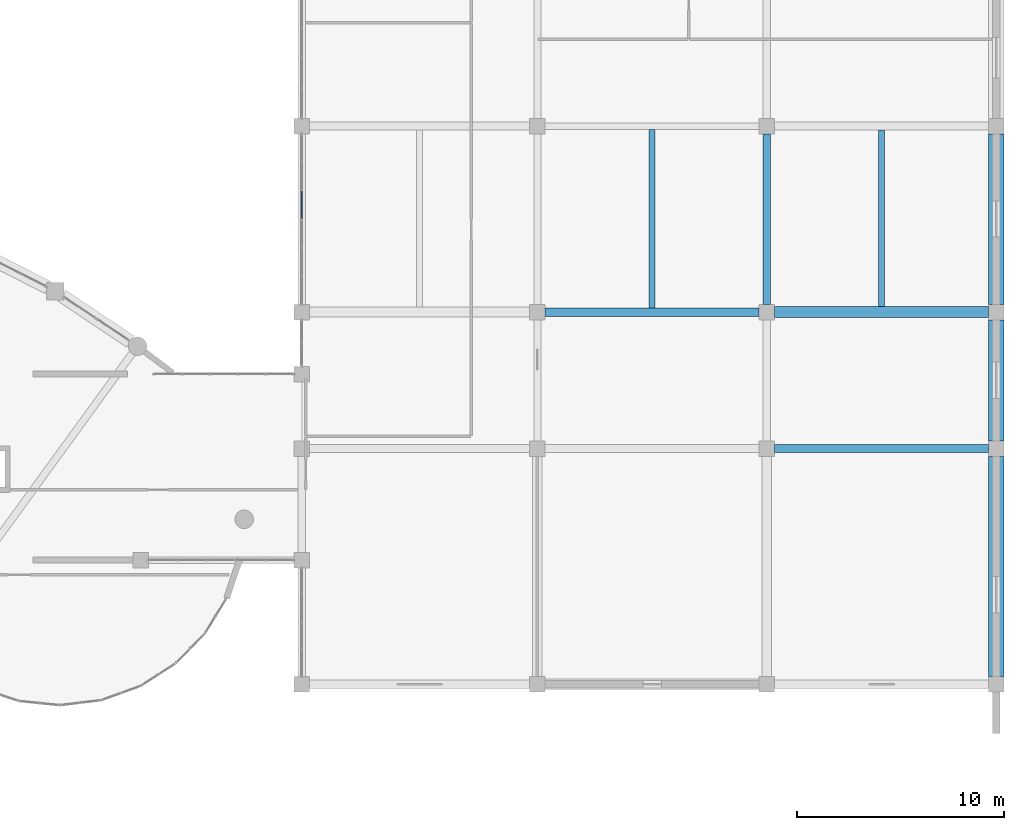
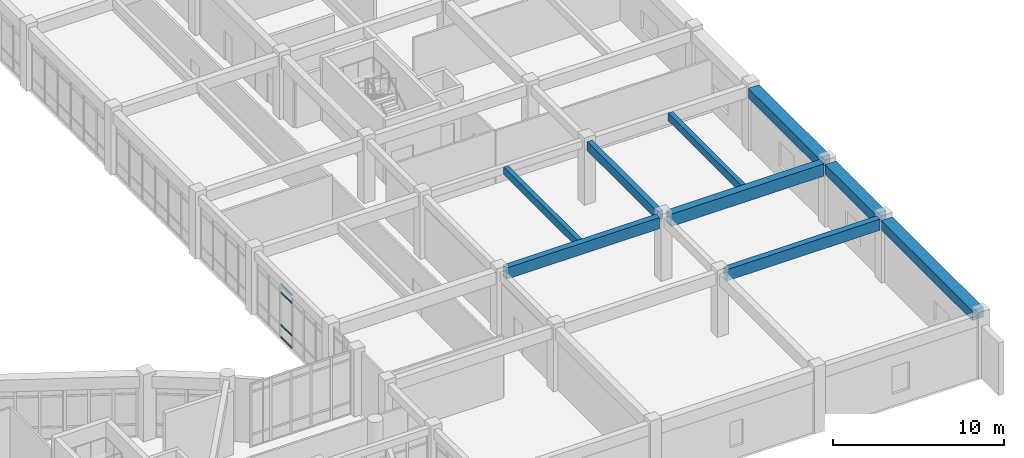
# One storey, part 27 of 68: 9 beams, 4 members, 1 element without a shape of its own.
"""IFC4 building model written with IfcOpenShell, lengths in metres."""

from ifc_helpers import new_model, si_unit, direction, frame, origin, origin_2d, place, context, subcontext, project, spatial, rectangle, extrude, material, layer, layer_set, material_profile, profile_set, type_object, element, aggregate, save


model = new_model("IFC4")

# Units and contexts
model_context = context("Model", 3, precision=1e-05, world=origin(), true_north=direction((0.0, 1.0)))
body_context = subcontext(model_context, "Body", "Model", "MODEL_VIEW")
ifc_project = project(units=[si_unit("LENGTHUNIT", "METRE"), si_unit("AREAUNIT", "SQUARE_METRE"), si_unit("VOLUMEUNIT", "CUBIC_METRE"), si_unit("PLANEANGLEUNIT", "RADIAN"), si_unit("MASSUNIT", "GRAM", prefix="KILO")], contexts=[model_context])

# Site, building, storey
site_placement = place(None, origin())
site = spatial("IfcSite", under=ifc_project, at=site_placement, CompositionType="ELEMENT")
building_placement = place(site_placement, origin())
building = spatial("IfcBuilding", under=site, at=building_placement, Name="Miralva Faculty of Natural Sciences", CompositionType="ELEMENT")
storey_placement = place(building_placement, frame((0.0, 0.0, 5.39990234375)))
storey = spatial("IfcBuildingStorey", under=building, at=storey_placement, Name="L01", CompositionType="ELEMENT", Elevation=5.39990234375)

# Beams
ifc_material_1 = material(Name="Concrete C40/50", Category="concrete")
ifc_material_profile_1 = material_profile(ifc_material_1, rectangle(XDim=0.39990234375, YDim=0.800048828125, at=origin_2d()), Name="RC 400x800")
ifc_profile_set_1 = profile_set([ifc_material_profile_1], Name="Concrete C40/50")
beam_type_1 = type_object("IfcBeamType", Name="BM-B02", PredefinedType="BEAM", material=ifc_profile_set_1)
beam_1_placement = place(storey_placement, frame((156.675048828125, 23.39990234375, 4.080078125), z_axis=(1.0, 0.0, 0.0), x_axis=(0.0, 1.0, 0.0)))
element("IfcBeam", 1, at=beam_1_placement, inside=storey, type_object=beam_type_1, Name="Girder EW L01-30", PredefinedType="BEAM", context=body_context, shape_type="SweptSolid", body=[
    extrude(rectangle(XDim=0.39990234375, YDim=0.800048828125, at=origin_2d()), origin(), (0.0, 0.0, 1.0), 10.349853515625),
])
beam_2_placement = place(storey_placement, frame((145.574951171875, 30.0, 4.080078125), z_axis=(1.0, 0.0, 0.0), x_axis=(0.0, 1.0, 0.0)))
element("IfcBeam", 2, at=beam_2_placement, inside=storey, type_object=beam_type_1, Name="Girder EW L01-38", PredefinedType="BEAM", context=body_context, shape_type="SweptSolid", body=[
    extrude(rectangle(XDim=0.39990234375, YDim=0.800048828125, at=origin_2d()), origin(), (0.0, 0.0, 1.0), 10.35009765625),
])
ifc_material_profile_2 = material_profile(ifc_material_1, rectangle(XDim=0.35009765625, YDim=0.64990234375, at=origin_2d()), Name="RC 350x650")
ifc_profile_set_2 = profile_set([ifc_material_profile_2], Name="Concrete C40/50")
beam_type_2 = type_object("IfcBeamType", Name="BM-B05", PredefinedType="BEAM", material=ifc_profile_set_2)
beam_3_placement = place(storey_placement, frame((156.300048828125, 30.375, 4.155029296875), z_axis=(0.0, 1.0, 0.0), x_axis=(-1.0, 0.0, 0.0)))
element("IfcBeam", 3, at=beam_3_placement, inside=storey, type_object=beam_type_2, Name="Girder NS L01-176", PredefinedType="BEAM", context=body_context, shape_type="SweptSolid", body=[
    extrude(rectangle(XDim=0.35009765625, YDim=0.64990234375, at=origin_2d()), origin(), (0.0, 0.0, 1.0), 8.25),
])
ifc_material_profile_3 = material_profile(ifc_material_1, rectangle(XDim=0.52001953125, YDim=0.8798828125, at=origin_2d()), Name="RC 520x880")
ifc_profile_set_3 = profile_set([ifc_material_profile_3], Name="Concrete C40/50")
beam_type_3 = type_object("IfcBeamType", Name="BM-BG19", PredefinedType="BEAM", material=ifc_profile_set_3)
beam_4_placement = place(storey_placement, frame((156.675048828125, 30.0, 4.0400390625), z_axis=(1.0, 0.0, 0.0), x_axis=(0.0, 1.0, 0.0)))
element("IfcBeam", 4, at=beam_4_placement, inside=storey, type_object=beam_type_3, Name="Girder EW L01-39", PredefinedType="BEAM", context=body_context, shape_type="SweptSolid", body=[
    extrude(rectangle(XDim=0.52001953125, YDim=0.8798828125, at=origin_2d()), origin(), (0.0, 0.0, 1.0), 10.349853515625),
])
ifc_material_profile_4 = material_profile(ifc_material_1, rectangle(XDim=0.300048828125, YDim=0.550048828125, at=origin_2d()), Name="RC 300x550")
ifc_profile_set_4 = profile_set([ifc_material_profile_4], Name="Concrete C40/50")
beam_type_4 = type_object("IfcBeamType", Name="BM-J02", PredefinedType="JOIST", material=ifc_profile_set_4)
beam_5_placement = place(storey_placement, frame((150.75, 30.199951171875, 4.205078125), z_axis=(0.0, 1.0, 0.0), x_axis=(-1.0, 0.0, 0.0)))
element("IfcBeam", 5, at=beam_5_placement, inside=storey, type_object=beam_type_4, Name="Floor joist L01-10", PredefinedType="JOIST", context=body_context, shape_type="SweptSolid", body=[
    extrude(rectangle(XDim=0.300048828125, YDim=0.550048828125, at=origin_2d()), origin(), (0.0, 0.0, 1.0), 8.64013671875),
])
beam_6_placement = place(storey_placement, frame((161.85009765625, 30.260009765625, 4.205078125), z_axis=(0.0, 1.0, 0.0), x_axis=(-1.0, 0.0, 0.0)))
element("IfcBeam", 6, at=beam_6_placement, inside=storey, type_object=beam_type_4, Name="Floor joist L01-11", PredefinedType="JOIST", context=body_context, shape_type="SweptSolid", body=[
    extrude(rectangle(XDim=0.300048828125, YDim=0.550048828125, at=origin_2d()), origin(), (0.0, 0.0, 1.0), 8.5400390625),
])
ifc_material_profile_5 = material_profile(ifc_material_1, rectangle(XDim=0.75, YDim=0.699951171875, at=origin_2d()), Name="RC 750x700")
ifc_profile_set_5 = profile_set([ifc_material_profile_5], Name="Concrete C40/50")
beam_type_5 = type_object("IfcBeamType", Name="BM-SP01", PredefinedType="SPANDREL", material=ifc_profile_set_5)
beam_7_placement = place(storey_placement, frame((167.39990234375, 12.375, 4.130126953125), z_axis=(0.0, 1.0, 0.0), x_axis=(-1.0, 0.0, 0.0)))
element("IfcBeam", 7, at=beam_7_placement, inside=storey, type_object=beam_type_5, Name="Girder NS L01-181", PredefinedType="SPANDREL", context=body_context, shape_type="SweptSolid", body=[
    extrude(rectangle(XDim=0.75, YDim=0.699951171875, at=origin_2d()), origin(), (0.0, 0.0, 1.0), 10.64990234375),
])
beam_8_placement = place(storey_placement, frame((167.39990234375, 23.77490234375, 4.130126953125), z_axis=(0.0, 1.0, 0.0), x_axis=(-1.0, 0.0, 0.0)))
element("IfcBeam", 8, at=beam_8_placement, inside=storey, type_object=beam_type_5, Name="Girder NS L01-182", PredefinedType="SPANDREL", context=body_context, shape_type="SweptSolid", body=[
    extrude(rectangle(XDim=0.75, YDim=0.699951171875, at=origin_2d()), origin(), (0.0, 0.0, 1.0), 5.85009765625),
])
beam_9_placement = place(storey_placement, frame((167.39990234375, 30.375, 4.130126953125), z_axis=(0.0, 1.0, 0.0), x_axis=(-1.0, 0.0, 0.0)))
element("IfcBeam", 9, at=beam_9_placement, inside=storey, type_object=beam_type_5, Name="Girder NS L01-183", PredefinedType="SPANDREL", context=body_context, shape_type="SweptSolid", body=[
    extrude(rectangle(XDim=0.75, YDim=0.699951171875, at=origin_2d()), origin(), (0.0, 0.0, 1.0), 8.25),
])

# Curtain wall, members
ifc_material_2 = material(Name="Laminated solar-control glass", Category="glass")
ifc_layer = layer(ifc_material_2, 0.179931640625, Name="CW-COM-L01")
ifc_layer_set = layer_set([ifc_layer], Name="Laminated solar-control glass")
curtain_wall_type = type_object("IfcCurtainWallType", Name="CW-COM-L01", PredefinedType="USERDEFINED", material=ifc_layer_set)
curtain_wall_placement = place(storey_placement, origin())
curtain_wall = element("IfcCurtainWall", 10, at=curtain_wall_placement, inside=storey, type_object=curtain_wall_type, Name="Curtain wall CW-10 L01-263", ObjectType="UNITISED CURTAIN WALL", PredefinedType="USERDEFINED")
ifc_material_3 = material(Name="Anodised aluminium", Category="aluminium")
ifc_material_profile_6 = material_profile(ifc_material_3, rectangle(XDim=0.06005859375, YDim=0.1201171875, at=origin_2d()), Name="TRANSOM 60x120")
ifc_profile_set_6 = profile_set([ifc_material_profile_6], Name="Anodised aluminium")
member_type = type_object("IfcMemberType", Name="CW-T02", PredefinedType="USERDEFINED", material=ifc_profile_set_6)
member_1_placement = place(storey_placement, frame((133.800048828125, 34.530029296875, 0.030029296875), z_axis=(0.0, 1.0, 0.0), x_axis=(-1.0, 0.0, 0.0)))
member_1 = element("IfcMember", 11, at=member_1_placement, type_object=member_type, Name="CW-10 transom 4.1", ObjectType="TRANSOM", PredefinedType="USERDEFINED", context=body_context, shape_type="SweptSolid", body=[
    extrude(rectangle(XDim=0.06005859375, YDim=0.1201171875, at=origin_2d()), origin(), (0.0, 0.0, 1.0), 1.318359375),
])
member_2_placement = place(storey_placement, frame((133.800048828125, 34.530029296875, 0.900146484375), z_axis=(0.0, 1.0, 0.0), x_axis=(-1.0, 0.0, 0.0)))
member_2 = element("IfcMember", 12, at=member_2_placement, type_object=member_type, Name="CW-10 transom 4.2", ObjectType="TRANSOM", PredefinedType="USERDEFINED", context=body_context, shape_type="SweptSolid", body=[
    extrude(rectangle(XDim=0.06005859375, YDim=0.1201171875, at=origin_2d()), origin(), (0.0, 0.0, 1.0), 1.318359375),
])
member_3_placement = place(storey_placement, frame((133.800048828125, 34.530029296875, 3.22509765625), z_axis=(0.0, 1.0, 0.0), x_axis=(-1.0, 0.0, 0.0)))
member_3 = element("IfcMember", 13, at=member_3_placement, type_object=member_type, Name="CW-10 transom 4.3", ObjectType="TRANSOM", PredefinedType="USERDEFINED", context=body_context, shape_type="SweptSolid", body=[
    extrude(rectangle(XDim=0.06005859375, YDim=0.1201171875, at=origin_2d()), origin(), (0.0, 0.0, 1.0), 1.318359375),
])
member_4_placement = place(storey_placement, frame((133.800048828125, 34.530029296875, 3.795166015625), z_axis=(0.0, 1.0, 0.0), x_axis=(-1.0, 0.0, 0.0)))
member_4 = element("IfcMember", 14, at=member_4_placement, type_object=member_type, Name="CW-10 transom 4.4", ObjectType="TRANSOM", PredefinedType="USERDEFINED", context=body_context, shape_type="SweptSolid", body=[
    extrude(rectangle(XDim=0.06005859375, YDim=0.1201171875, at=origin_2d()), origin(), (0.0, 0.0, 1.0), 1.318359375),
])
aggregate(curtain_wall, [member_1, member_2, member_3, member_4])

save(model, "model.ifc")
